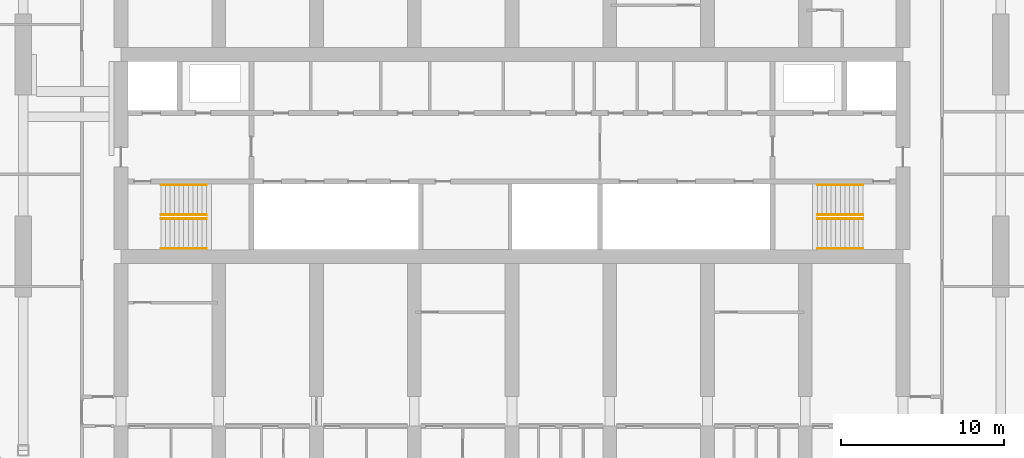
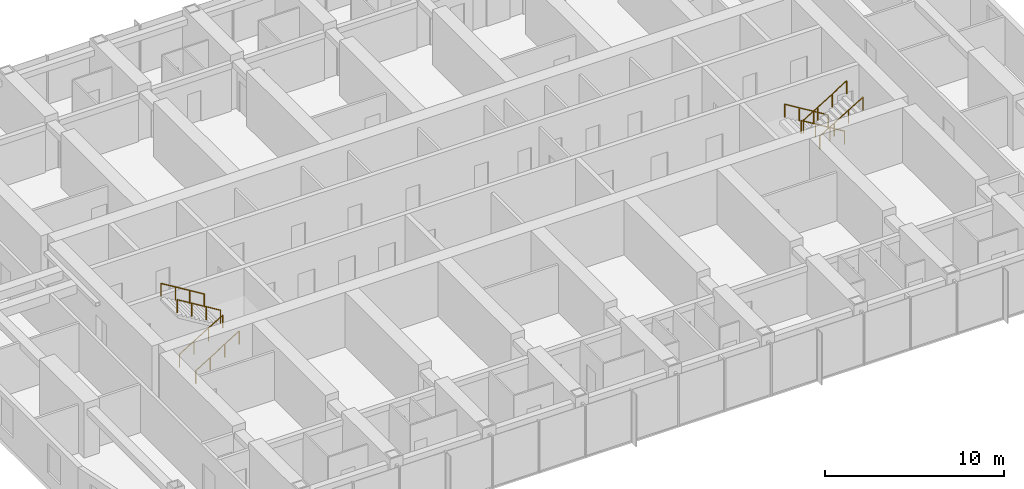
# One storey, part 23 of 23: 8 railings.
"""IFC4 building model written with IfcOpenShell, lengths in metres."""

from ifc_helpers import new_model, si_unit, direction, frame, origin, origin_2d, place, context, subcontext, project, spatial, circle, extrude, material, type_object, element, save


model = new_model("IFC4")

# Units and contexts
model_context = context("Model", 3, precision=1e-05, world=origin(), true_north=direction((0.0, 1.0)))
body_context = subcontext(model_context, "Body", "Model", "MODEL_VIEW")
ifc_project = project(units=[si_unit("LENGTHUNIT", "METRE"), si_unit("AREAUNIT", "SQUARE_METRE"), si_unit("VOLUMEUNIT", "CUBIC_METRE"), si_unit("PLANEANGLEUNIT", "RADIAN"), si_unit("MASSUNIT", "GRAM", prefix="KILO")], contexts=[model_context])

# Site, building, storey
site_placement = place(None, origin())
site = spatial("IfcSite", under=ifc_project, at=site_placement, CompositionType="ELEMENT")
building_placement = place(site_placement, origin())
building = spatial("IfcBuilding", under=site, at=building_placement, Name="Orbita Commons", CompositionType="ELEMENT")
storey_placement = place(building_placement, frame((0.0, 0.0, 174.85009765625)))
storey = spatial("IfcBuildingStorey", under=building, at=storey_placement, Name="L43", CompositionType="ELEMENT", Elevation=174.85009765625)

# Railings
ifc_material = material(Name="Steel tube, painted", Category="steel")
railing_type = type_object("IfcRailingType", Name="Stair handrail steel tube 900", PredefinedType="HANDRAIL", material=ifc_material)
for number, where, name in (
    (1, (20.449951171875, 28.114990234375, 0.17041015625), "Stair S1 handrail L43 flight 1"),
    (2, (20.449951171875, 26.284912109375, 0.17041015625), "Stair S1 handrail L43 flight 1"),
):
    element("IfcRailing", number, at=place(storey_placement, frame(where)), inside=storey, type_object=railing_type, Name=name, PredefinedType="HANDRAIL", context=body_context, shape_type="SweptSolid", body=[
        extrude(circle(Radius=0.02099609375, at=origin_2d()), frame((0.0, 0.0, 0.87890625), z_axis=(0.854169791009, 0.0, 0.51999420009), x_axis=(0.0, 1.0, 0.0)), (0.0, 0.0, 1.0), 3.278076171875),
        extrude(circle(Radius=0.02001953125, at=origin_2d()), origin(), (0.0, 0.0, 1.0), 0.85791015625),
        extrude(circle(Radius=0.02001953125, at=origin_2d()), frame((0.933349609375, 0.0, 0.568115234375)), (0.0, 0.0, 1.0), 0.85791015625),
        extrude(circle(Radius=0.02001953125, at=origin_2d()), frame((1.86669921875, 0.0, 1.136474609375)), (0.0, 0.0, 1.0), 0.85791015625),
        extrude(circle(Radius=0.02001953125, at=origin_2d()), frame((2.800048828125, 0.0, 1.70458984375)), (0.0, 0.0, 1.0), 0.85791015625),
    ])
for number, where, name in (
    (3, (23.25, 28.360107421875, 2.04541015625), "Stair S1 handrail L43 flight 2"),
    (4, (23.25, 30.18994140625, 2.04541015625), "Stair S1 handrail L43 flight 2"),
    (5, (63.550048828125, 28.360107421875, 0.17041015625), "Stair S2 handrail L43 flight 1"),
    (6, (63.550048828125, 30.18994140625, 0.17041015625), "Stair S2 handrail L43 flight 1"),
):
    element("IfcRailing", number, at=place(storey_placement, frame(where)), inside=storey, type_object=railing_type, Name=name, PredefinedType="HANDRAIL", context=body_context, shape_type="SweptSolid", body=[
        extrude(circle(Radius=0.02099609375, at=origin_2d()), frame((0.0, 0.0, 0.87890625), z_axis=(-0.854169791009, 0.0, 0.51999420009), x_axis=(0.0, -1.0, 0.0)), (0.0, 0.0, 1.0), 3.278076171875),
        extrude(circle(Radius=0.02001953125, at=origin_2d()), origin(), (0.0, 0.0, 1.0), 0.85791015625),
        extrude(circle(Radius=0.02001953125, at=origin_2d()), frame((-0.933349609375, 0.0, 0.568115234375)), (0.0, 0.0, 1.0), 0.85791015625),
        extrude(circle(Radius=0.02001953125, at=origin_2d()), frame((-1.86669921875, 0.0, 1.136474609375)), (0.0, 0.0, 1.0), 0.85791015625),
        extrude(circle(Radius=0.02001953125, at=origin_2d()), frame((-2.800048828125, 0.0, 1.70458984375)), (0.0, 0.0, 1.0), 0.85791015625),
    ])
for number, where, name in (
    (7, (60.75, 28.114990234375, 2.04541015625), "Stair S2 handrail L43 flight 2"),
    (8, (60.75, 26.284912109375, 2.04541015625), "Stair S2 handrail L43 flight 2"),
):
    element("IfcRailing", number, at=place(storey_placement, frame(where)), inside=storey, type_object=railing_type, Name=name, PredefinedType="HANDRAIL", context=body_context, shape_type="SweptSolid", body=[
        extrude(circle(Radius=0.02099609375, at=origin_2d()), frame((0.0, 0.0, 0.87890625), z_axis=(0.854169791009, 0.0, 0.51999420009), x_axis=(0.0, 1.0, 0.0)), (0.0, 0.0, 1.0), 3.278076171875),
        extrude(circle(Radius=0.02001953125, at=origin_2d()), origin(), (0.0, 0.0, 1.0), 0.85791015625),
        extrude(circle(Radius=0.02001953125, at=origin_2d()), frame((0.933349609375, 0.0, 0.568115234375)), (0.0, 0.0, 1.0), 0.85791015625),
        extrude(circle(Radius=0.02001953125, at=origin_2d()), frame((1.86669921875, 0.0, 1.136474609375)), (0.0, 0.0, 1.0), 0.85791015625),
        extrude(circle(Radius=0.02001953125, at=origin_2d()), frame((2.800048828125, 0.0, 1.70458984375)), (0.0, 0.0, 1.0), 0.85791015625),
    ])

save(model, "model.ifc")
